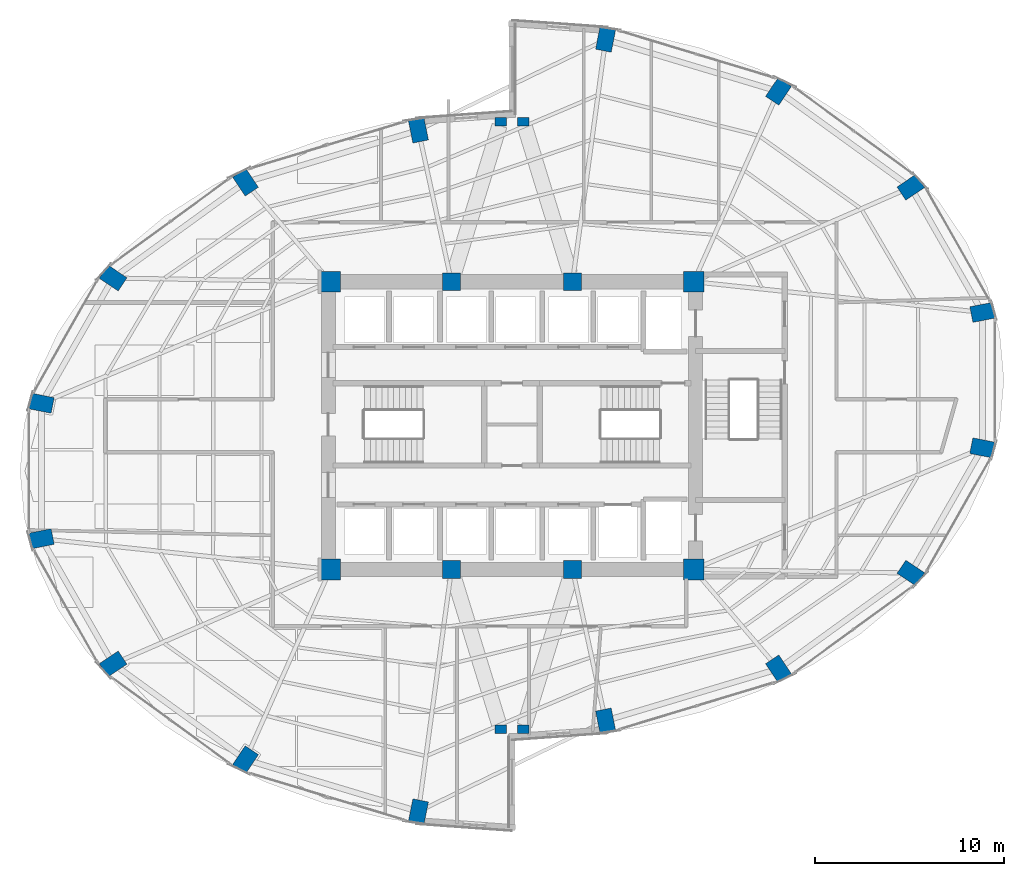
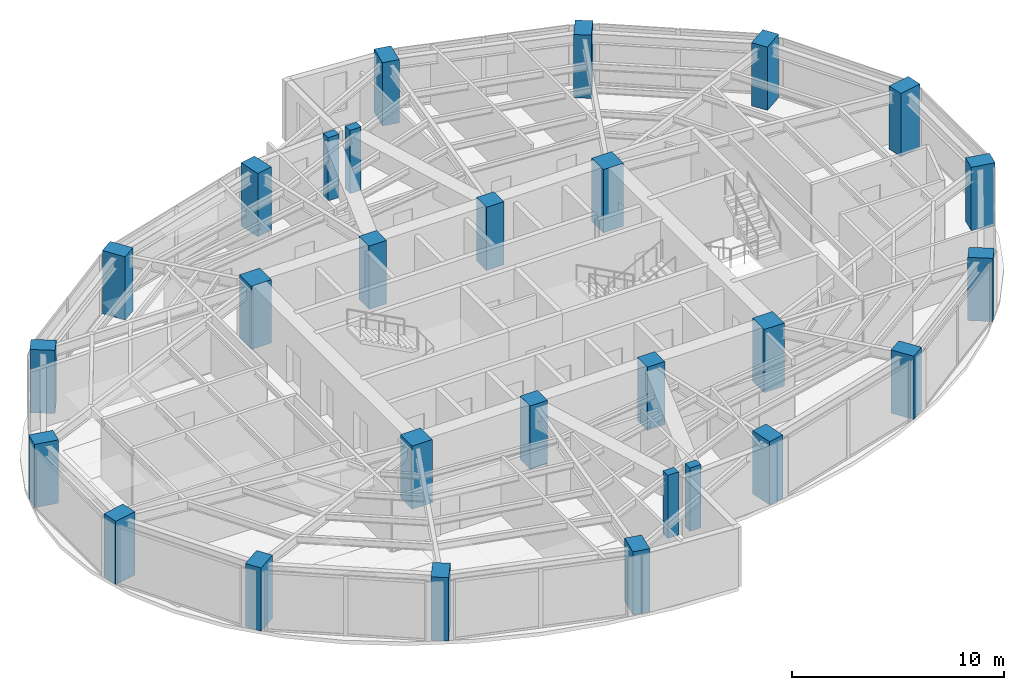
# One storey, part 1 of 23: 28 columns.
"""IFC4 building model written with IfcOpenShell, lengths in metres."""

from ifc_helpers import new_model, si_unit, direction, frame, origin, origin_2d, place, context, subcontext, project, spatial, rectangle, extrude, material, material_profile, profile_set, type_object, element, save


model = new_model("IFC4")

# Units and contexts
model_context = context("Model", 3, precision=1e-05, world=origin(), true_north=direction((0.0, 1.0)))
body_context = subcontext(model_context, "Body", "Model", "MODEL_VIEW")
ifc_project = project(units=[si_unit("LENGTHUNIT", "METRE"), si_unit("AREAUNIT", "SQUARE_METRE"), si_unit("VOLUMEUNIT", "CUBIC_METRE"), si_unit("PLANEANGLEUNIT", "RADIAN"), si_unit("MASSUNIT", "GRAM", prefix="KILO")], contexts=[model_context])

# Site, building, storey
site_placement = place(None, origin())
site = spatial("IfcSite", under=ifc_project, at=site_placement, CompositionType="ELEMENT")
building_placement = place(site_placement, origin())
building = spatial("IfcBuilding", under=site, at=building_placement, Name="Lazwardi Medical Tower", CompositionType="ELEMENT")
storey_placement = place(building_placement, frame((0.0, 0.0, 85.39208984375)))
storey = spatial("IfcBuildingStorey", under=building, at=storey_placement, Name="L21", CompositionType="ELEMENT", Elevation=85.39208984375)

# Columns
ifc_material_1 = material(Name="Concrete C80/95", Category="concrete")
ifc_material_profile_1 = material_profile(ifc_material_1, rectangle(XDim=1.10009765625, YDim=1.10009765625, at=origin_2d()), Name="RC 1100x1100")
ifc_profile_set_1 = profile_set([ifc_material_profile_1], Name="Concrete C80/95")
column_type_1 = type_object("IfcColumnType", Name="COL-CC-L", PredefinedType="COLUMN", material=ifc_profile_set_1)
for number, where, z_axis, x_axis, name in (
    (1, (26.39990234375, 20.39990234375, 0.0), (0.0, 0.0, 1.0), (1.0, 0.0, 0.0), "Core column CC-01 CC1 L21"),
    (2, (45.60009765625, 20.39990234375, 0.0), (0.0, 0.0, 1.0), (1.0, 0.0, 0.0), "Core column CC-01 CC4 L21"),
    (3, (45.60009765625, 35.60009765625, 0.0), (0.0, 0.0, 1.0), (1.0, 0.0, 0.0), "Core column CC-01 CC5 L21"),
    (4, (26.39990234375, 35.60009765625, 0.0), (0.0, 0.0, 1.0), (1.0, 0.0, 0.0), "Core column CC-01 CC8 L21"),
):
    element("IfcColumn", number, at=place(storey_placement, frame(where, z_axis=z_axis, x_axis=x_axis)), inside=storey, type_object=column_type_1, Name=name, PredefinedType="COLUMN", context=body_context, shape_type="SweptSolid", body=[
        extrude(rectangle(XDim=1.10009765625, YDim=1.10009765625, at=origin_2d()), origin(), (0.0, 0.0, 1.0), 3.64794921875),
    ])
ifc_material_2 = material(Name="Concrete C70/85", Category="concrete")
ifc_material_profile_2 = material_profile(ifc_material_2, rectangle(XDim=0.949951171875, YDim=0.949951171875, at=origin_2d()), Name="RC 950x950")
ifc_profile_set_2 = profile_set([ifc_material_profile_2], Name="Concrete C70/85")
column_type_2 = type_object("IfcColumnType", Name="COL-CC-M", PredefinedType="COLUMN", material=ifc_profile_set_2)
for number, where, z_axis, x_axis, name in (
    (5, (32.800048828125, 20.39990234375, 0.0), (0.0, 0.0, 1.0), (1.0, 0.0, 0.0), "Core column CC-02 CC2 L21"),
    (6, (39.199951171875, 20.39990234375, 0.0), (0.0, 0.0, 1.0), (1.0, 0.0, 0.0), "Core column CC-02 CC3 L21"),
    (7, (39.199951171875, 35.60009765625, 0.0), (0.0, 0.0, 1.0), (1.0, 0.0, 0.0), "Core column CC-02 CC6 L21"),
    (8, (32.800048828125, 35.60009765625, 0.0), (0.0, 0.0, 1.0), (1.0, 0.0, 0.0), "Core column CC-02 CC7 L21"),
):
    element("IfcColumn", number, at=place(storey_placement, frame(where, z_axis=z_axis, x_axis=x_axis)), inside=storey, type_object=column_type_2, Name=name, PredefinedType="COLUMN", context=body_context, shape_type="SweptSolid", body=[
        extrude(rectangle(XDim=0.949951171875, YDim=0.949951171875, at=origin_2d()), origin(), (0.0, 0.0, 1.0), 3.64794921875),
    ])
ifc_material_profile_3 = material_profile(ifc_material_2, rectangle(XDim=1.199951171875, YDim=0.840087890625, at=origin_2d()), Name="CFT-RECT 1200x840")
ifc_profile_set_3 = profile_set([ifc_material_profile_3], Name="Concrete C70/85")
column_type_3 = type_object("IfcColumnType", Name="COL-MC-Z2", PredefinedType="COLUMN", material=ifc_profile_set_3)
for number, where, z_axis, x_axis, name in (
    (9, (40.945556640625, 12.402587890625, 0.0), (0.0, 0.0, 1.0), (0.195090322016, -0.980785280403, 0.0), "Mega column MC-04 M01 L21"),
    (10, (50.083740234375, 15.142578125, 0.0), (0.0, 0.0, 1.0), (0.55557023302, -0.831469612303, 0.0), "Mega column MC-04 M02 L21"),
    (11, (57.077880859375, 20.205322265625, 0.0), (0.0, 0.0, 1.0), (0.831469612303, -0.55557023302, 0.0), "Mega column MC-04 M03 L21"),
    (12, (60.86279296875, 26.820068359375, 0.0), (0.0, 0.0, 1.0), (0.980785280403, -0.195090322016, 0.0), "Mega column MC-04 M04 L21"),
    (13, (60.86279296875, 33.97998046875, 0.0), (0.0, 0.0, 1.0), (0.980785280403, 0.195090322016, 0.0), "Mega column MC-04 M05 L21"),
    (14, (57.077880859375, 40.5947265625, 0.0), (0.0, 0.0, 1.0), (0.831469612303, 0.55557023302, 0.0), "Mega column MC-04 M06 L21"),
    (15, (50.083740234375, 45.657470703125, 0.0), (0.0, 0.0, 1.0), (0.55557023302, 0.831469612303, 0.0), "Mega column MC-04 M07 L21"),
    (16, (40.945556640625, 48.3974609375, 0.0), (0.0, 0.0, 1.0), (0.195090322016, 0.980785280403, 0.0), "Mega column MC-04 M08 L21"),
    (17, (31.054443359375, 43.597412109375, 0.0), (0.0, 0.0, 1.0), (-0.195090322016, 0.980785280403, 0.0), "Mega column MC-04 M09 L21"),
    (18, (21.916259765625, 40.857421875, 0.0), (0.0, 0.0, 1.0), (-0.55557023302, 0.831469612303, 0.0), "Mega column MC-04 M10 L21"),
    (19, (14.922119140625, 35.794677734375, 0.0), (0.0, 0.0, 1.0), (-0.831469612303, 0.55557023302, 0.0), "Mega column MC-04 M11 L21"),
    (20, (11.13720703125, 29.179931640625, 0.0), (0.0, 0.0, 1.0), (-0.980785280403, 0.195090322016, 0.0), "Mega column MC-04 M12 L21"),
    (21, (11.13720703125, 22.02001953125, 0.0), (0.0, 0.0, 1.0), (-0.980785280403, -0.195090322016, 0.0), "Mega column MC-04 M13 L21"),
    (22, (14.922119140625, 15.4052734375, 0.0), (0.0, 0.0, 1.0), (-0.831469612303, -0.55557023302, 0.0), "Mega column MC-04 M14 L21"),
    (23, (21.916259765625, 10.342529296875, 0.0), (0.0, 0.0, 1.0), (-0.55557023302, -0.831469612303, 0.0), "Mega column MC-04 M15 L21"),
    (24, (31.054443359375, 7.6025390625, 0.0), (0.0, 0.0, 1.0), (-0.195090322016, -0.980785280403, 0.0), "Mega column MC-04 M16 L21"),
):
    element("IfcColumn", number, at=place(storey_placement, frame(where, z_axis=z_axis, x_axis=x_axis)), inside=storey, type_object=column_type_3, Name=name, PredefinedType="COLUMN", context=body_context, shape_type="SweptSolid", body=[
        extrude(rectangle(XDim=1.199951171875, YDim=0.840087890625, at=origin_2d()), origin(), (0.0, 0.0, 1.0), 3.64794921875),
    ])
ifc_material_3 = material(Name="Concrete C60/75", Category="concrete")
ifc_material_profile_4 = material_profile(ifc_material_3, rectangle(XDim=0.60009765625, YDim=0.449951171875, at=origin_2d()), Name="RC 600x450")
ifc_profile_set_4 = profile_set([ifc_material_profile_4], Name="Concrete C60/75")
column_type_4 = type_object("IfcColumnType", Name="COL-PL-IW", PredefinedType="PILASTER", material=ifc_profile_set_4)
for number, where, z_axis, x_axis, name in (
    (25, (35.39990234375, 44.050048828125, 0.0), (0.0, 0.0, 1.0), (1.0, 0.0, 0.0), "Iwan pilaster column PL-C1 PL1 L21"),
    (26, (36.60009765625, 44.050048828125, 0.0), (0.0, 0.0, 1.0), (1.0, 0.0, 0.0), "Iwan pilaster column PL-C1 PL2 L21"),
    (27, (35.39990234375, 11.949951171875, 0.0), (0.0, 0.0, 1.0), (1.0, 0.0, 0.0), "Iwan pilaster column PL-C1 PL3 L21"),
    (28, (36.60009765625, 11.949951171875, 0.0), (0.0, 0.0, 1.0), (1.0, 0.0, 0.0), "Iwan pilaster column PL-C1 PL4 L21"),
):
    element("IfcColumn", number, at=place(storey_placement, frame(where, z_axis=z_axis, x_axis=x_axis)), inside=storey, type_object=column_type_4, Name=name, PredefinedType="PILASTER", context=body_context, shape_type="SweptSolid", body=[
        extrude(rectangle(XDim=0.60009765625, YDim=0.449951171875, at=origin_2d()), origin(), (0.0, 0.0, 1.0), 3.64794921875),
    ])

save(model, "model.ifc")
